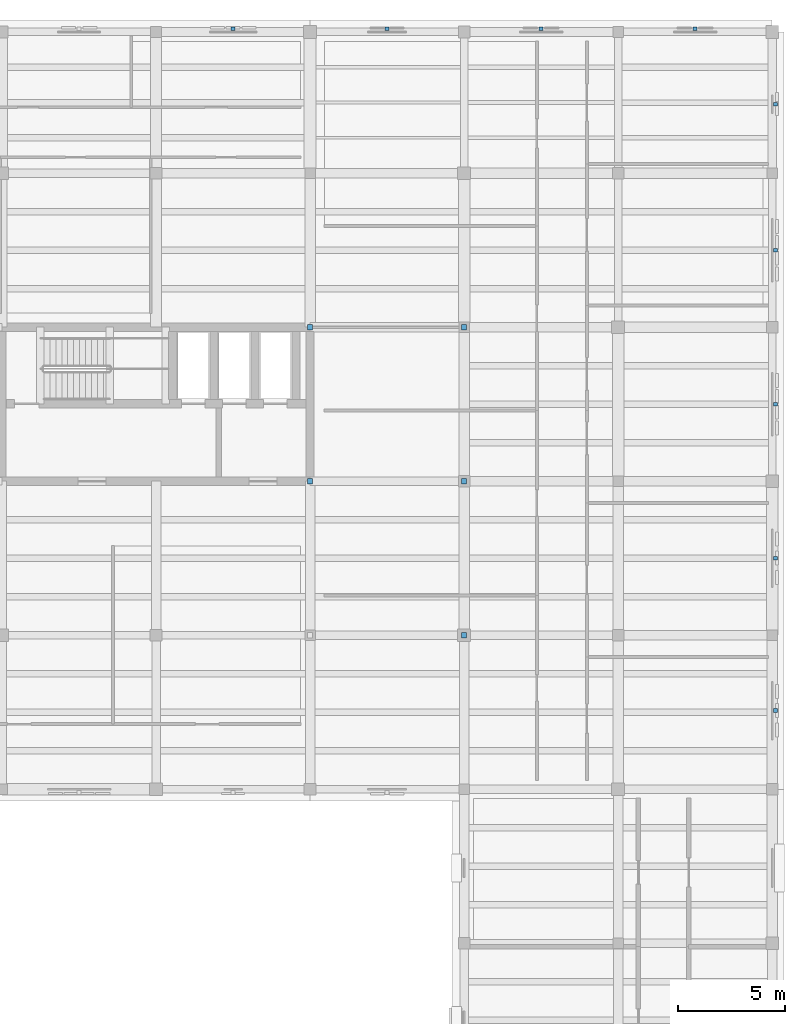
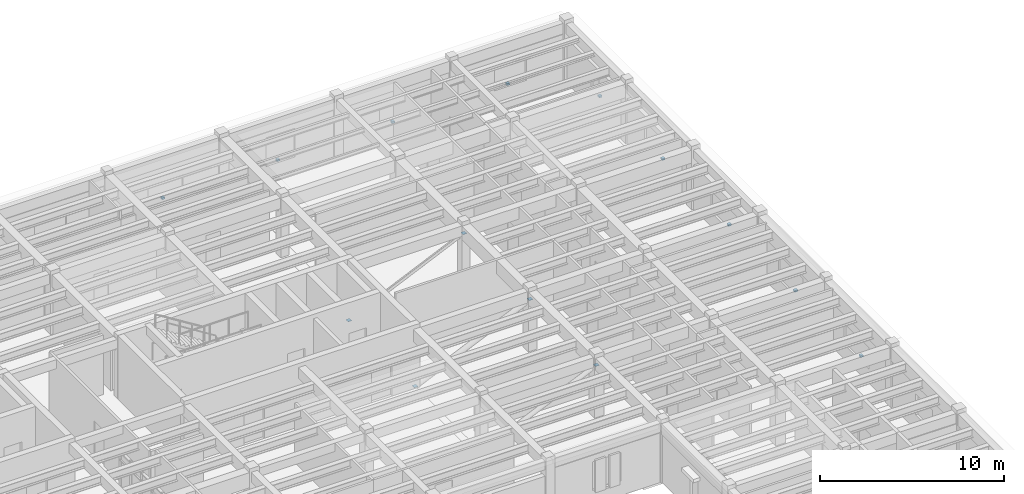
# One storey, part 22 of 27: 14 discrete accessories.
"""IFC4 building model written with IfcOpenShell, lengths in metres."""

from ifc_helpers import new_model, si_unit, direction, frame, origin, origin_2d, place, context, subcontext, project, spatial, rectangle, extrude, material, type_object, element, save


model = new_model("IFC4")

# Units and contexts
model_context = context("Model", 3, precision=1e-05, world=origin(), true_north=direction((0.0, 1.0)))
body_context = subcontext(model_context, "Body", "Model", "MODEL_VIEW")
ifc_project = project(units=[si_unit("LENGTHUNIT", "METRE"), si_unit("AREAUNIT", "SQUARE_METRE"), si_unit("VOLUMEUNIT", "CUBIC_METRE"), si_unit("PLANEANGLEUNIT", "RADIAN"), si_unit("MASSUNIT", "GRAM", prefix="KILO")], contexts=[model_context])

# Site, building, storey
site_placement = place(None, origin())
site = spatial("IfcSite", under=ifc_project, at=site_placement, CompositionType="ELEMENT")
building_placement = place(site_placement, origin())
building = spatial("IfcBuilding", under=site, at=building_placement, Name="Mithqara Police Headquarters", CompositionType="ELEMENT")
storey_placement = place(building_placement, frame((0.0, 0.0, 18.0)))
storey = spatial("IfcBuildingStorey", under=building, at=storey_placement, Name="L04", CompositionType="ELEMENT", Elevation=18.0)

# Discrete accessories
ifc_material = material(Name="Steel S355JR", Category="steel")
discrete_accessory_type_1 = type_object("IfcDiscreteAccessoryType", Name="END CONN PLATE", PredefinedType="BRACKET", material=ifc_material)
for number, where, z_axis, x_axis, name in (
    (1, (151.800048828125, 85.800048828125, 3.238037109375), (0.0, 0.0, 1.0), (1.0, 0.0, 0.0), "Brace End Connection Plate 54B"),
    (2, (144.60009765625, 93.0, -0.011962890625), (0.0, 0.0, 1.0), (1.0, 0.0, 0.0), "Brace End Connection Plate 55A"),
    (3, (151.800048828125, 93.0, 3.238037109375), (0.0, 0.0, 1.0), (1.0, 0.0, 0.0), "Brace End Connection Plate 56B"),
    (4, (144.60009765625, 100.199951171875, -0.011962890625), (0.0, 0.0, 1.0), (1.0, 0.0, 0.0), "Brace End Connection Plate 57A"),
    (5, (151.800048828125, 100.199951171875, 3.238037109375), (0.0, 0.0, 1.0), (1.0, 0.0, 0.0), "Brace End Connection Plate 58B"),
):
    element("IfcDiscreteAccessory", number, at=place(storey_placement, frame(where, z_axis=z_axis, x_axis=x_axis)), inside=storey, type_object=discrete_accessory_type_1, Name=name, PredefinedType="BRACKET", context=body_context, shape_type="SweptSolid", body=[
        extrude(rectangle(XDim=0.239990234375, YDim=0.239990234375, at=origin_2d()), origin(), (0.0, 0.0, 1.0), 0.02392578125),
    ])
discrete_accessory_type_2 = type_object("IfcDiscreteAccessoryType", Name="SCREEN BRACKET SS", PredefinedType="BRACKET", material=ifc_material)
for number, where, z_axis, x_axis, name in (
    (6, (166.35009765625, 82.27490234375, 0.849853515625), (0.0, 0.0, 1.0), (0.0, 1.0, 0.0), "L04 Stone Screen Support Bracket 4.1"),
    (7, (166.35009765625, 89.39990234375, 0.849853515625), (0.0, 0.0, 1.0), (0.0, 1.0, 0.0), "L04 Stone Screen Support Bracket 4.2"),
    (8, (166.35009765625, 96.60009765625, 0.849853515625), (0.0, 0.0, 1.0), (0.0, 1.0, 0.0), "L04 Stone Screen Support Bracket 4.3"),
    (9, (166.35009765625, 103.800048828125, 0.849853515625), (0.0, 0.0, 1.0), (0.0, 1.0, 0.0), "L04 Stone Screen Support Bracket 4.4"),
    (10, (166.35009765625, 110.625, 0.849853515625), (0.0, 0.0, 1.0), (0.0, 1.0, 0.0), "L04 Stone Screen Support Bracket 4.5"),
    (11, (148.199951171875, 114.14990234375, 0.849853515625), (0.0, 0.0, 1.0), (1.0, 0.0, 0.0), "L04 Stone Screen Support Bracket 5.1"),
    (12, (155.39990234375, 114.14990234375, 0.849853515625), (0.0, 0.0, 1.0), (1.0, 0.0, 0.0), "L04 Stone Screen Support Bracket 5.2"),
    (13, (162.60009765625, 114.14990234375, 0.849853515625), (0.0, 0.0, 1.0), (1.0, 0.0, 0.0), "L04 Stone Screen Support Bracket 5.3"),
    (14, (141.0, 114.14990234375, 0.849853515625), (0.0, 0.0, 1.0), (1.0, 0.0, 0.0), "L04 Stone Screen Support Bracket 6.5"),
):
    element("IfcDiscreteAccessory", number, at=place(storey_placement, frame(where, z_axis=z_axis, x_axis=x_axis)), inside=storey, type_object=discrete_accessory_type_2, Name=name, PredefinedType="BRACKET", context=body_context, shape_type="SweptSolid", body=[
        extrude(rectangle(XDim=0.179931640625, YDim=0.179931640625, at=origin_2d()), origin(), (0.0, 0.0, 1.0), 0.1201171875),
    ])

save(model, "model.ifc")
